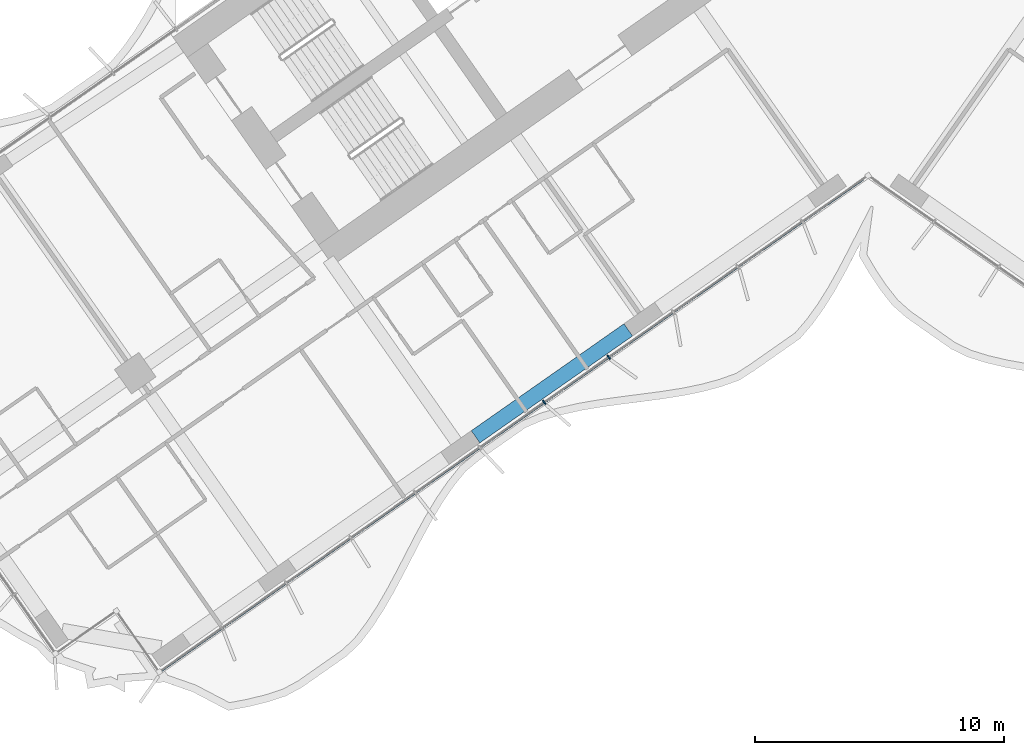
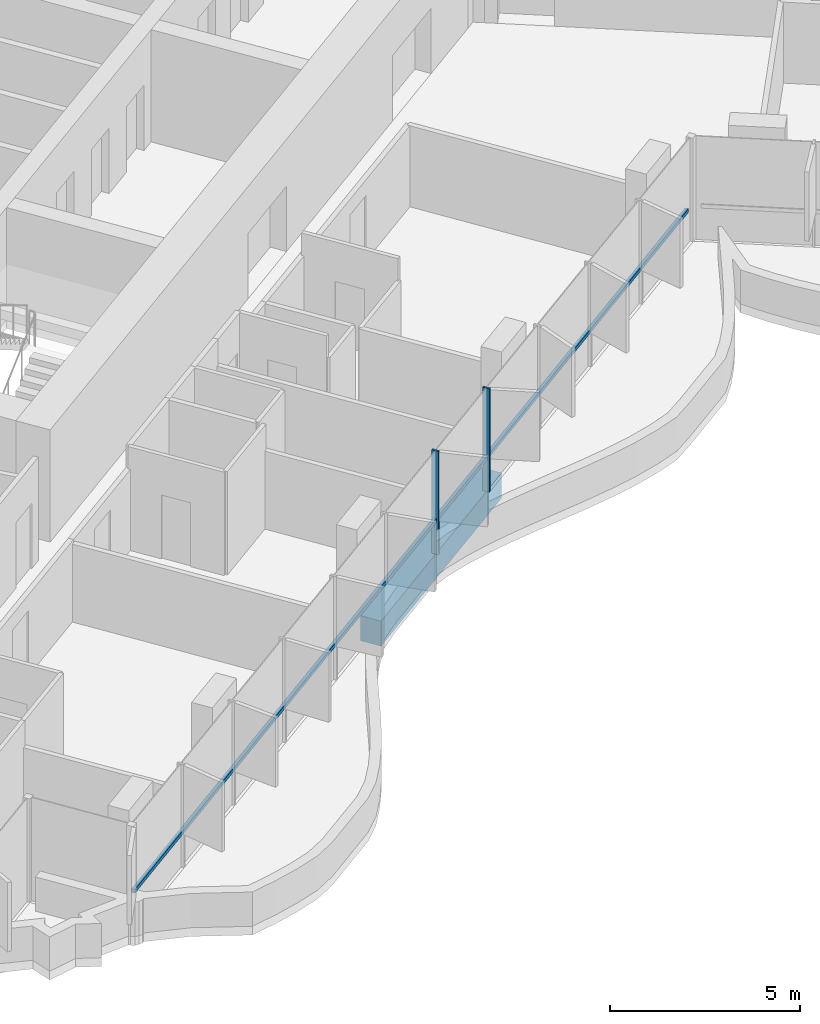
# One storey, part 3 of 23: 3 members, 1 beam, 1 element without a shape of its own.
"""IFC4 building model written with IfcOpenShell, lengths in metres."""

from ifc_helpers import new_model, si_unit, direction, frame, origin, origin_2d, place, context, subcontext, project, spatial, rectangle, extrude, material, material_profile, profile_set, type_object, element, aggregate, save


model = new_model("IFC4")

# Units and contexts
model_context = context("Model", 3, precision=1e-05, world=origin(), true_north=direction((0.0, 1.0)))
body_context = subcontext(model_context, "Body", "Model", "MODEL_VIEW")
ifc_project = project(units=[si_unit("LENGTHUNIT", "METRE"), si_unit("AREAUNIT", "SQUARE_METRE"), si_unit("VOLUMEUNIT", "CUBIC_METRE"), si_unit("PLANEANGLEUNIT", "RADIAN"), si_unit("MASSUNIT", "GRAM", prefix="KILO")], contexts=[model_context])

# Site, building, storey
site_placement = place(None, origin())
site = spatial("IfcSite", under=ifc_project, at=site_placement, CompositionType="ELEMENT")
building_placement = place(site_placement, origin())
building = spatial("IfcBuilding", under=site, at=building_placement, Name="Tel Ilan Convention Tower", CompositionType="ELEMENT")
storey_placement = place(building_placement, frame((0.0, 0.0, 101.300048828125)))
storey = spatial("IfcBuildingStorey", under=building, at=storey_placement, Name="L21", CompositionType="ELEMENT", Elevation=101.300048828125)

# Beam
ifc_material_1 = material(Name="Concrete C40/50", Category="concrete")
ifc_material_profile_1 = material_profile(ifc_material_1, rectangle(XDim=0.60009765625, YDim=0.800048828125, at=origin_2d()), Name="RC 600x800")
ifc_profile_set_1 = profile_set([ifc_material_profile_1], Name="Concrete C40/50")
beam_type = type_object("IfcBeamType", Name="Beam RC 600x800 Concrete C40/50", PredefinedType="BEAM", material=ifc_profile_set_1)
beam_placement = place(storey_placement, frame((-9.652099609375, -18.905029296875, -0.679931640625), z_axis=(-0.81915238829, -0.573575945067, 0.0), x_axis=(0.573575945067, -0.81915238829, 0.0)))
element("IfcBeam", 1, at=beam_placement, inside=storey, type_object=beam_type, Name="L21 beam W-W-F2-W-F3", PredefinedType="BEAM", context=body_context, shape_type="SweptSolid", body=[
    extrude(rectangle(XDim=0.60009765625, YDim=0.800048828125, at=origin_2d()), origin(), (0.0, 0.0, 1.0), 7.5),
])

# Curtain wall, members
ifc_material_2 = material(Name="Aluminium, bronze anodised", Category="aluminium")
curtain_wall_type = type_object("IfcCurtainWallType", Name="CW1 UNITISED CURTAIN WALL, HOTEL TINTED GLASS", PredefinedType="NOTDEFINED", material=ifc_material_2)
curtain_wall_placement = place(storey_placement, origin())
curtain_wall = element("IfcCurtainWall", 2, at=curtain_wall_placement, inside=storey, type_object=curtain_wall_type, Name="Curtain wall CW1-19.02", PredefinedType="NOTDEFINED")
ifc_material_3 = material(Name="Aluminium, bronze anodised", Category="aluminium")
ifc_material_profile_2 = material_profile(ifc_material_3, rectangle(XDim=0.06005859375, YDim=0.199951171875, at=origin_2d()), Name="CW MULLION 60x200")
ifc_profile_set_2 = profile_set([ifc_material_profile_2], Name="Aluminium, bronze anodised")
member_type_1 = type_object("IfcMemberType", Name="CW MULLION 60x200", PredefinedType="MULLION", material=ifc_profile_set_2)
member_1_placement = place(storey_placement, frame((-13.03271484375, -21.821533203125, 0.0), z_axis=(0.0, 0.0, 1.0), x_axis=(0.819152044289, 0.573576436351, 0.0)))
member_1 = element("IfcMember", 3, at=member_1_placement, type_object=member_type_1, Name="Mullion", PredefinedType="MULLION", context=body_context, shape_type="SweptSolid", body=[
    extrude(rectangle(XDim=0.06005859375, YDim=0.199951171875, at=origin_2d()), origin(), (0.0, 0.0, 1.0), 3.320068359375),
])
member_2_placement = place(storey_placement, frame((-10.4375, -20.004638671875, 0.0), z_axis=(0.0, 0.0, 1.0), x_axis=(0.819152044289, 0.573576436351, 0.0)))
member_2 = element("IfcMember", 4, at=member_2_placement, type_object=member_type_1, Name="Mullion", PredefinedType="MULLION", context=body_context, shape_type="SweptSolid", body=[
    extrude(rectangle(XDim=0.06005859375, YDim=0.199951171875, at=origin_2d()), origin(), (0.0, 0.0, 1.0), 3.320068359375),
])
ifc_material_4 = material(Name="Aluminium, bronze anodised", Category="aluminium")
ifc_material_profile_3 = material_profile(ifc_material_4, rectangle(XDim=0.10009765625, YDim=0.1201171875, at=origin_2d()), Name="CW TRANSOM 100x120")
ifc_profile_set_3 = profile_set([ifc_material_profile_3], Name="Aluminium, bronze anodised")
member_type_2 = type_object("IfcMemberType", Name="CW TRANSOM 100x120", PredefinedType="USERDEFINED", material=ifc_profile_set_3)
member_3_placement = place(storey_placement, frame((-28.439208984375, -32.609375, 1.099853515625), z_axis=(0.819151003602, 0.573577922604, 0.0), x_axis=(-0.573577922604, 0.819151003602, 0.0)))
member_3 = element("IfcMember", 5, at=member_3_placement, type_object=member_type_2, Name="Transom", ObjectType="TRANSOM", PredefinedType="USERDEFINED", context=body_context, shape_type="SweptSolid", body=[
    extrude(rectangle(XDim=0.10009765625, YDim=0.1201171875, at=origin_2d()), origin(), (0.0, 0.0, 1.0), 34.447998046875),
])
aggregate(curtain_wall, [member_1, member_2, member_3])

save(model, "model.ifc")
